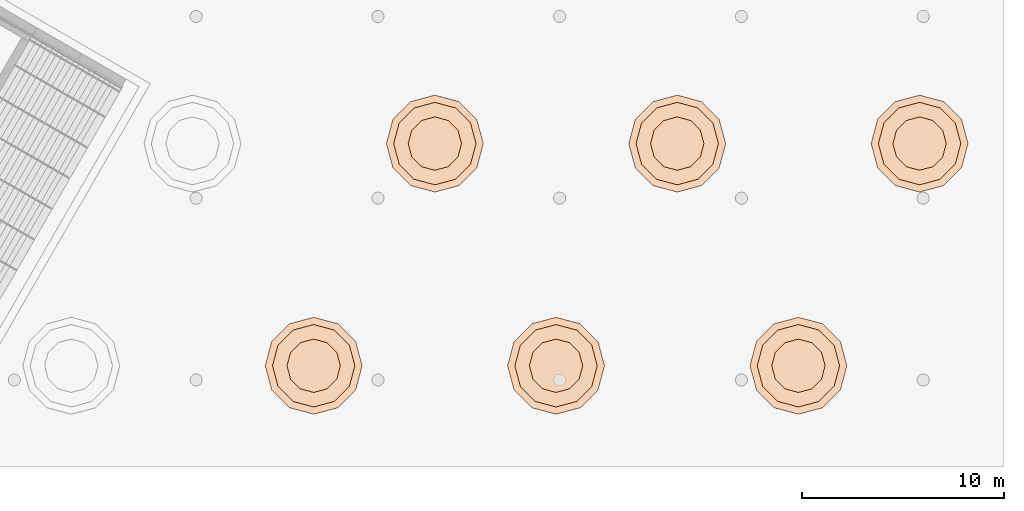
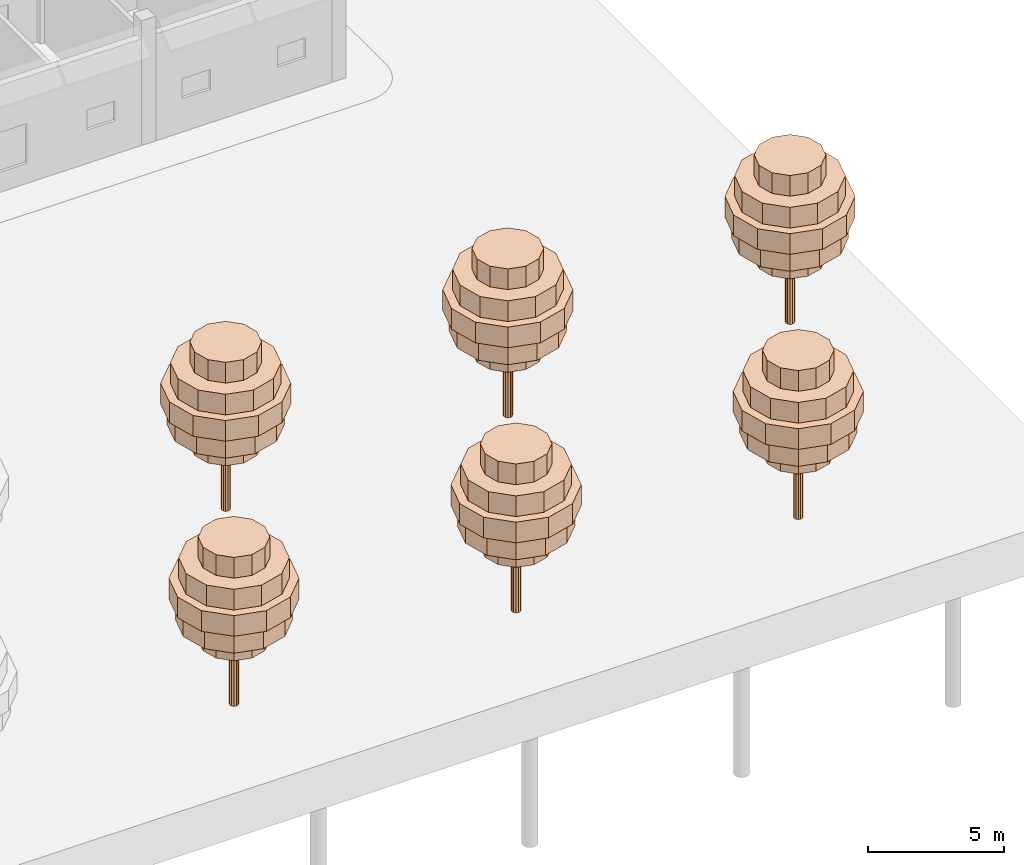
# One storey, part 44 of 44: 6 geographic elements.
"""IFC4 building model written with IfcOpenShell, lengths in metres."""

from ifc_helpers import new_model, si_unit, direction, frame, origin, place, context, subcontext, project, spatial, polyline, outline, extrude, element, save


model = new_model("IFC4")

# Units and contexts
model_context = context("Model", 3, precision=1e-05, world=origin(), true_north=direction((0.0, 1.0)))
body_context = subcontext(model_context, "Body", "Model", "MODEL_VIEW")
ifc_project = project(units=[si_unit("LENGTHUNIT", "METRE"), si_unit("AREAUNIT", "SQUARE_METRE"), si_unit("VOLUMEUNIT", "CUBIC_METRE"), si_unit("PLANEANGLEUNIT", "RADIAN"), si_unit("MASSUNIT", "GRAM", prefix="KILO")], contexts=[model_context])

# Site, building, storey
site_placement = place(None, origin())
site = spatial("IfcSite", under=ifc_project, at=site_placement, CompositionType="ELEMENT")
building_placement = place(site_placement, origin())
building = spatial("IfcBuilding", under=site, at=building_placement, Name="Frailejon Research Tower", CompositionType="ELEMENT")
storey_placement = place(building_placement, origin())
storey = spatial("IfcBuildingStorey", under=building, at=storey_placement, Name="L00", CompositionType="ELEMENT", Elevation=0.0)

# Geographic elements
geographic_element_1_placement = place(storey_placement, frame((77.821044921875, -53.2958984375, 0.0)))
element("IfcGeographicElement", 1, at=geographic_element_1_placement, inside=storey, Name="Plaza tree", ObjectType="TREE", PredefinedType="USERDEFINED", context=body_context, shape_type="SweptSolid", body=[
    extrude(outline(polyline([(0.179931640625, 0.0), (0.156005859375, 0.090087890625), (0.090087890625, 0.156005859375), (0.0, 0.179931640625), (-0.090087890625, 0.156005859375), (-0.156005859375, 0.090087890625), (-0.179931640625, 0.0), (-0.156005859375, -0.090087890625), (-0.090087890625, -0.156005859375), (0.0, -0.179931640625), (0.090087890625, -0.156005859375), (0.156005859375, -0.090087890625), (0.179931640625, 0.0)])), origin(), (0.0, 0.0, 1.0), 5.639892578125),
    extrude(outline(polyline([(1.320068359375, 0.0), (1.14306640625, 0.659912109375), (0.659912109375, 1.14306640625), (0.0, 1.320068359375), (-0.659912109375, 1.14306640625), (-1.14306640625, 0.659912109375), (-1.320068359375, 0.0), (-1.14306640625, -0.659912109375), (-0.659912109375, -1.14306640625), (0.0, -1.320068359375), (0.659912109375, -1.14306640625), (1.14306640625, -0.659912109375), (1.320068359375, 0.0)])), frame((0.0, 0.0, 2.85009765625)), (0.0, 0.0, 1.0), 0.929931640625),
    extrude(outline(polyline([(2.159912109375, 0.0), (1.87060546875, 1.080078125), (1.080078125, 1.87060546875), (0.0, 2.159912109375), (-1.080078125, 1.87060546875), (-1.87060546875, 1.080078125), (-2.159912109375, 0.0), (-1.87060546875, -1.080078125), (-1.080078125, -1.87060546875), (0.0, -2.159912109375), (1.080078125, -1.87060546875), (1.87060546875, -1.080078125), (2.159912109375, 0.0)])), frame((0.0, 0.0, 3.780029296875)), (0.0, 0.0, 1.0), 0.929931640625),
    extrude(outline(polyline([(2.39990234375, 0.0), (2.078369140625, 1.199951171875), (1.199951171875, 2.078369140625), (0.0, 2.39990234375), (-1.199951171875, 2.078369140625), (-2.078369140625, 1.199951171875), (-2.39990234375, 0.0), (-2.078369140625, -1.199951171875), (-1.199951171875, -2.078369140625), (0.0, -2.39990234375), (1.199951171875, -2.078369140625), (2.078369140625, -1.199951171875), (2.39990234375, 0.0)])), frame((0.0, 0.0, 4.7099609375)), (0.0, 0.0, 1.0), 0.929931640625),
    extrude(outline(polyline([(2.0400390625, 0.0), (1.7666015625, 1.02001953125), (1.02001953125, 1.7666015625), (0.0, 2.0400390625), (-1.02001953125, 1.7666015625), (-1.7666015625, 1.02001953125), (-2.0400390625, 0.0), (-1.7666015625, -1.02001953125), (-1.02001953125, -1.7666015625), (0.0, -2.0400390625), (1.02001953125, -1.7666015625), (1.7666015625, -1.02001953125), (2.0400390625, 0.0)])), frame((0.0, 0.0, 5.639892578125)), (0.0, 0.0, 1.0), 0.929931640625),
    extrude(outline(polyline([(1.320068359375, 0.0), (1.14306640625, 0.659912109375), (0.659912109375, 1.14306640625), (0.0, 1.320068359375), (-0.659912109375, 1.14306640625), (-1.14306640625, 0.659912109375), (-1.320068359375, 0.0), (-1.14306640625, -0.659912109375), (-0.659912109375, -1.14306640625), (0.0, -1.320068359375), (0.659912109375, -1.14306640625), (1.14306640625, -0.659912109375), (1.320068359375, 0.0)])), frame((0.0, 0.0, 6.570068359375)), (0.0, 0.0, 1.0), 0.929931640625),
])
geographic_element_2_placement = place(storey_placement, frame((89.821044921875, -53.2958984375, 0.0)))
element("IfcGeographicElement", 2, at=geographic_element_2_placement, inside=storey, Name="Plaza tree", ObjectType="TREE", PredefinedType="USERDEFINED", context=body_context, shape_type="SweptSolid", body=[
    extrude(outline(polyline([(0.179931640625, 0.0), (0.156005859375, 0.090087890625), (0.090087890625, 0.156005859375), (0.0, 0.179931640625), (-0.090087890625, 0.156005859375), (-0.156005859375, 0.090087890625), (-0.179931640625, 0.0), (-0.156005859375, -0.090087890625), (-0.090087890625, -0.156005859375), (0.0, -0.179931640625), (0.090087890625, -0.156005859375), (0.156005859375, -0.090087890625), (0.179931640625, 0.0)])), origin(), (0.0, 0.0, 1.0), 5.639892578125),
    extrude(outline(polyline([(1.320068359375, 0.0), (1.14306640625, 0.659912109375), (0.659912109375, 1.14306640625), (0.0, 1.320068359375), (-0.659912109375, 1.14306640625), (-1.14306640625, 0.659912109375), (-1.320068359375, 0.0), (-1.14306640625, -0.659912109375), (-0.659912109375, -1.14306640625), (0.0, -1.320068359375), (0.659912109375, -1.14306640625), (1.14306640625, -0.659912109375), (1.320068359375, 0.0)])), frame((0.0, 0.0, 2.85009765625)), (0.0, 0.0, 1.0), 0.929931640625),
    extrude(outline(polyline([(2.159912109375, 0.0), (1.87060546875, 1.080078125), (1.080078125, 1.87060546875), (0.0, 2.159912109375), (-1.080078125, 1.87060546875), (-1.87060546875, 1.080078125), (-2.159912109375, 0.0), (-1.87060546875, -1.080078125), (-1.080078125, -1.87060546875), (0.0, -2.159912109375), (1.080078125, -1.87060546875), (1.87060546875, -1.080078125), (2.159912109375, 0.0)])), frame((0.0, 0.0, 3.780029296875)), (0.0, 0.0, 1.0), 0.929931640625),
    extrude(outline(polyline([(2.39990234375, 0.0), (2.078369140625, 1.199951171875), (1.199951171875, 2.078369140625), (0.0, 2.39990234375), (-1.199951171875, 2.078369140625), (-2.078369140625, 1.199951171875), (-2.39990234375, 0.0), (-2.078369140625, -1.199951171875), (-1.199951171875, -2.078369140625), (0.0, -2.39990234375), (1.199951171875, -2.078369140625), (2.078369140625, -1.199951171875), (2.39990234375, 0.0)])), frame((0.0, 0.0, 4.7099609375)), (0.0, 0.0, 1.0), 0.929931640625),
    extrude(outline(polyline([(2.0400390625, 0.0), (1.7666015625, 1.02001953125), (1.02001953125, 1.7666015625), (0.0, 2.0400390625), (-1.02001953125, 1.7666015625), (-1.7666015625, 1.02001953125), (-2.0400390625, 0.0), (-1.7666015625, -1.02001953125), (-1.02001953125, -1.7666015625), (0.0, -2.0400390625), (1.02001953125, -1.7666015625), (1.7666015625, -1.02001953125), (2.0400390625, 0.0)])), frame((0.0, 0.0, 5.639892578125)), (0.0, 0.0, 1.0), 0.929931640625),
    extrude(outline(polyline([(1.320068359375, 0.0), (1.14306640625, 0.659912109375), (0.659912109375, 1.14306640625), (0.0, 1.320068359375), (-0.659912109375, 1.14306640625), (-1.14306640625, 0.659912109375), (-1.320068359375, 0.0), (-1.14306640625, -0.659912109375), (-0.659912109375, -1.14306640625), (0.0, -1.320068359375), (0.659912109375, -1.14306640625), (1.14306640625, -0.659912109375), (1.320068359375, 0.0)])), frame((0.0, 0.0, 6.570068359375)), (0.0, 0.0, 1.0), 0.929931640625),
])
geographic_element_3_placement = place(storey_placement, frame((101.821044921875, -53.2958984375, 0.0)))
element("IfcGeographicElement", 3, at=geographic_element_3_placement, inside=storey, Name="Plaza tree", ObjectType="TREE", PredefinedType="USERDEFINED", context=body_context, shape_type="SweptSolid", body=[
    extrude(outline(polyline([(0.179931640625, 0.0), (0.156005859375, 0.090087890625), (0.090087890625, 0.156005859375), (0.0, 0.179931640625), (-0.090087890625, 0.156005859375), (-0.156005859375, 0.090087890625), (-0.179931640625, 0.0), (-0.156005859375, -0.090087890625), (-0.090087890625, -0.156005859375), (0.0, -0.179931640625), (0.090087890625, -0.156005859375), (0.156005859375, -0.090087890625), (0.179931640625, 0.0)])), origin(), (0.0, 0.0, 1.0), 5.639892578125),
    extrude(outline(polyline([(1.320068359375, 0.0), (1.14306640625, 0.659912109375), (0.659912109375, 1.14306640625), (0.0, 1.320068359375), (-0.659912109375, 1.14306640625), (-1.14306640625, 0.659912109375), (-1.320068359375, 0.0), (-1.14306640625, -0.659912109375), (-0.659912109375, -1.14306640625), (0.0, -1.320068359375), (0.659912109375, -1.14306640625), (1.14306640625, -0.659912109375), (1.320068359375, 0.0)])), frame((0.0, 0.0, 2.85009765625)), (0.0, 0.0, 1.0), 0.929931640625),
    extrude(outline(polyline([(2.159912109375, 0.0), (1.87060546875, 1.080078125), (1.080078125, 1.87060546875), (0.0, 2.159912109375), (-1.080078125, 1.87060546875), (-1.87060546875, 1.080078125), (-2.159912109375, 0.0), (-1.87060546875, -1.080078125), (-1.080078125, -1.87060546875), (0.0, -2.159912109375), (1.080078125, -1.87060546875), (1.87060546875, -1.080078125), (2.159912109375, 0.0)])), frame((0.0, 0.0, 3.780029296875)), (0.0, 0.0, 1.0), 0.929931640625),
    extrude(outline(polyline([(2.39990234375, 0.0), (2.078369140625, 1.199951171875), (1.199951171875, 2.078369140625), (0.0, 2.39990234375), (-1.199951171875, 2.078369140625), (-2.078369140625, 1.199951171875), (-2.39990234375, 0.0), (-2.078369140625, -1.199951171875), (-1.199951171875, -2.078369140625), (0.0, -2.39990234375), (1.199951171875, -2.078369140625), (2.078369140625, -1.199951171875), (2.39990234375, 0.0)])), frame((0.0, 0.0, 4.7099609375)), (0.0, 0.0, 1.0), 0.929931640625),
    extrude(outline(polyline([(2.0400390625, 0.0), (1.7666015625, 1.02001953125), (1.02001953125, 1.7666015625), (0.0, 2.0400390625), (-1.02001953125, 1.7666015625), (-1.7666015625, 1.02001953125), (-2.0400390625, 0.0), (-1.7666015625, -1.02001953125), (-1.02001953125, -1.7666015625), (0.0, -2.0400390625), (1.02001953125, -1.7666015625), (1.7666015625, -1.02001953125), (2.0400390625, 0.0)])), frame((0.0, 0.0, 5.639892578125)), (0.0, 0.0, 1.0), 0.929931640625),
    extrude(outline(polyline([(1.320068359375, 0.0), (1.14306640625, 0.659912109375), (0.659912109375, 1.14306640625), (0.0, 1.320068359375), (-0.659912109375, 1.14306640625), (-1.14306640625, 0.659912109375), (-1.320068359375, 0.0), (-1.14306640625, -0.659912109375), (-0.659912109375, -1.14306640625), (0.0, -1.320068359375), (0.659912109375, -1.14306640625), (1.14306640625, -0.659912109375), (1.320068359375, 0.0)])), frame((0.0, 0.0, 6.570068359375)), (0.0, 0.0, 1.0), 0.929931640625),
])
geographic_element_4_placement = place(storey_placement, frame((83.821044921875, -42.2958984375, 0.0)))
element("IfcGeographicElement", 4, at=geographic_element_4_placement, inside=storey, Name="Plaza tree", ObjectType="TREE", PredefinedType="USERDEFINED", context=body_context, shape_type="SweptSolid", body=[
    extrude(outline(polyline([(0.179931640625, 0.0), (0.156005859375, 0.090087890625), (0.090087890625, 0.156005859375), (0.0, 0.179931640625), (-0.090087890625, 0.156005859375), (-0.156005859375, 0.090087890625), (-0.179931640625, 0.0), (-0.156005859375, -0.090087890625), (-0.090087890625, -0.156005859375), (0.0, -0.179931640625), (0.090087890625, -0.156005859375), (0.156005859375, -0.090087890625), (0.179931640625, 0.0)])), origin(), (0.0, 0.0, 1.0), 5.639892578125),
    extrude(outline(polyline([(1.320068359375, 0.0), (1.14306640625, 0.659912109375), (0.659912109375, 1.14306640625), (0.0, 1.320068359375), (-0.659912109375, 1.14306640625), (-1.14306640625, 0.659912109375), (-1.320068359375, 0.0), (-1.14306640625, -0.659912109375), (-0.659912109375, -1.14306640625), (0.0, -1.320068359375), (0.659912109375, -1.14306640625), (1.14306640625, -0.659912109375), (1.320068359375, 0.0)])), frame((0.0, 0.0, 2.85009765625)), (0.0, 0.0, 1.0), 0.929931640625),
    extrude(outline(polyline([(2.159912109375, 0.0), (1.87060546875, 1.080078125), (1.080078125, 1.87060546875), (0.0, 2.159912109375), (-1.080078125, 1.87060546875), (-1.87060546875, 1.080078125), (-2.159912109375, 0.0), (-1.87060546875, -1.080078125), (-1.080078125, -1.87060546875), (0.0, -2.159912109375), (1.080078125, -1.87060546875), (1.87060546875, -1.080078125), (2.159912109375, 0.0)])), frame((0.0, 0.0, 3.780029296875)), (0.0, 0.0, 1.0), 0.929931640625),
    extrude(outline(polyline([(2.39990234375, 0.0), (2.078369140625, 1.199951171875), (1.199951171875, 2.078369140625), (0.0, 2.39990234375), (-1.199951171875, 2.078369140625), (-2.078369140625, 1.199951171875), (-2.39990234375, 0.0), (-2.078369140625, -1.199951171875), (-1.199951171875, -2.078369140625), (0.0, -2.39990234375), (1.199951171875, -2.078369140625), (2.078369140625, -1.199951171875), (2.39990234375, 0.0)])), frame((0.0, 0.0, 4.7099609375)), (0.0, 0.0, 1.0), 0.929931640625),
    extrude(outline(polyline([(2.0400390625, 0.0), (1.7666015625, 1.02001953125), (1.02001953125, 1.7666015625), (0.0, 2.0400390625), (-1.02001953125, 1.7666015625), (-1.7666015625, 1.02001953125), (-2.0400390625, 0.0), (-1.7666015625, -1.02001953125), (-1.02001953125, -1.7666015625), (0.0, -2.0400390625), (1.02001953125, -1.7666015625), (1.7666015625, -1.02001953125), (2.0400390625, 0.0)])), frame((0.0, 0.0, 5.639892578125)), (0.0, 0.0, 1.0), 0.929931640625),
    extrude(outline(polyline([(1.320068359375, 0.0), (1.14306640625, 0.659912109375), (0.659912109375, 1.14306640625), (0.0, 1.320068359375), (-0.659912109375, 1.14306640625), (-1.14306640625, 0.659912109375), (-1.320068359375, 0.0), (-1.14306640625, -0.659912109375), (-0.659912109375, -1.14306640625), (0.0, -1.320068359375), (0.659912109375, -1.14306640625), (1.14306640625, -0.659912109375), (1.320068359375, 0.0)])), frame((0.0, 0.0, 6.570068359375)), (0.0, 0.0, 1.0), 0.929931640625),
])
geographic_element_5_placement = place(storey_placement, frame((95.821044921875, -42.2958984375, 0.0)))
element("IfcGeographicElement", 5, at=geographic_element_5_placement, inside=storey, Name="Plaza tree", ObjectType="TREE", PredefinedType="USERDEFINED", context=body_context, shape_type="SweptSolid", body=[
    extrude(outline(polyline([(0.179931640625, 0.0), (0.156005859375, 0.090087890625), (0.090087890625, 0.156005859375), (0.0, 0.179931640625), (-0.090087890625, 0.156005859375), (-0.156005859375, 0.090087890625), (-0.179931640625, 0.0), (-0.156005859375, -0.090087890625), (-0.090087890625, -0.156005859375), (0.0, -0.179931640625), (0.090087890625, -0.156005859375), (0.156005859375, -0.090087890625), (0.179931640625, 0.0)])), origin(), (0.0, 0.0, 1.0), 5.639892578125),
    extrude(outline(polyline([(1.320068359375, 0.0), (1.14306640625, 0.659912109375), (0.659912109375, 1.14306640625), (0.0, 1.320068359375), (-0.659912109375, 1.14306640625), (-1.14306640625, 0.659912109375), (-1.320068359375, 0.0), (-1.14306640625, -0.659912109375), (-0.659912109375, -1.14306640625), (0.0, -1.320068359375), (0.659912109375, -1.14306640625), (1.14306640625, -0.659912109375), (1.320068359375, 0.0)])), frame((0.0, 0.0, 2.85009765625)), (0.0, 0.0, 1.0), 0.929931640625),
    extrude(outline(polyline([(2.159912109375, 0.0), (1.87060546875, 1.080078125), (1.080078125, 1.87060546875), (0.0, 2.159912109375), (-1.080078125, 1.87060546875), (-1.87060546875, 1.080078125), (-2.159912109375, 0.0), (-1.87060546875, -1.080078125), (-1.080078125, -1.87060546875), (0.0, -2.159912109375), (1.080078125, -1.87060546875), (1.87060546875, -1.080078125), (2.159912109375, 0.0)])), frame((0.0, 0.0, 3.780029296875)), (0.0, 0.0, 1.0), 0.929931640625),
    extrude(outline(polyline([(2.39990234375, 0.0), (2.078369140625, 1.199951171875), (1.199951171875, 2.078369140625), (0.0, 2.39990234375), (-1.199951171875, 2.078369140625), (-2.078369140625, 1.199951171875), (-2.39990234375, 0.0), (-2.078369140625, -1.199951171875), (-1.199951171875, -2.078369140625), (0.0, -2.39990234375), (1.199951171875, -2.078369140625), (2.078369140625, -1.199951171875), (2.39990234375, 0.0)])), frame((0.0, 0.0, 4.7099609375)), (0.0, 0.0, 1.0), 0.929931640625),
    extrude(outline(polyline([(2.0400390625, 0.0), (1.7666015625, 1.02001953125), (1.02001953125, 1.7666015625), (0.0, 2.0400390625), (-1.02001953125, 1.7666015625), (-1.7666015625, 1.02001953125), (-2.0400390625, 0.0), (-1.7666015625, -1.02001953125), (-1.02001953125, -1.7666015625), (0.0, -2.0400390625), (1.02001953125, -1.7666015625), (1.7666015625, -1.02001953125), (2.0400390625, 0.0)])), frame((0.0, 0.0, 5.639892578125)), (0.0, 0.0, 1.0), 0.929931640625),
    extrude(outline(polyline([(1.320068359375, 0.0), (1.14306640625, 0.659912109375), (0.659912109375, 1.14306640625), (0.0, 1.320068359375), (-0.659912109375, 1.14306640625), (-1.14306640625, 0.659912109375), (-1.320068359375, 0.0), (-1.14306640625, -0.659912109375), (-0.659912109375, -1.14306640625), (0.0, -1.320068359375), (0.659912109375, -1.14306640625), (1.14306640625, -0.659912109375), (1.320068359375, 0.0)])), frame((0.0, 0.0, 6.570068359375)), (0.0, 0.0, 1.0), 0.929931640625),
])
geographic_element_6_placement = place(storey_placement, frame((107.821044921875, -42.2958984375, 0.0)))
element("IfcGeographicElement", 6, at=geographic_element_6_placement, inside=storey, Name="Plaza tree", ObjectType="TREE", PredefinedType="USERDEFINED", context=body_context, shape_type="SweptSolid", body=[
    extrude(outline(polyline([(0.179931640625, 0.0), (0.156005859375, 0.090087890625), (0.090087890625, 0.156005859375), (0.0, 0.179931640625), (-0.090087890625, 0.156005859375), (-0.156005859375, 0.090087890625), (-0.179931640625, 0.0), (-0.156005859375, -0.090087890625), (-0.090087890625, -0.156005859375), (0.0, -0.179931640625), (0.090087890625, -0.156005859375), (0.156005859375, -0.090087890625), (0.179931640625, 0.0)])), origin(), (0.0, 0.0, 1.0), 5.639892578125),
    extrude(outline(polyline([(1.320068359375, 0.0), (1.14306640625, 0.659912109375), (0.659912109375, 1.14306640625), (0.0, 1.320068359375), (-0.659912109375, 1.14306640625), (-1.14306640625, 0.659912109375), (-1.320068359375, 0.0), (-1.14306640625, -0.659912109375), (-0.659912109375, -1.14306640625), (0.0, -1.320068359375), (0.659912109375, -1.14306640625), (1.14306640625, -0.659912109375), (1.320068359375, 0.0)])), frame((0.0, 0.0, 2.85009765625)), (0.0, 0.0, 1.0), 0.929931640625),
    extrude(outline(polyline([(2.159912109375, 0.0), (1.87060546875, 1.080078125), (1.080078125, 1.87060546875), (0.0, 2.159912109375), (-1.080078125, 1.87060546875), (-1.87060546875, 1.080078125), (-2.159912109375, 0.0), (-1.87060546875, -1.080078125), (-1.080078125, -1.87060546875), (0.0, -2.159912109375), (1.080078125, -1.87060546875), (1.87060546875, -1.080078125), (2.159912109375, 0.0)])), frame((0.0, 0.0, 3.780029296875)), (0.0, 0.0, 1.0), 0.929931640625),
    extrude(outline(polyline([(2.39990234375, 0.0), (2.078369140625, 1.199951171875), (1.199951171875, 2.078369140625), (0.0, 2.39990234375), (-1.199951171875, 2.078369140625), (-2.078369140625, 1.199951171875), (-2.39990234375, 0.0), (-2.078369140625, -1.199951171875), (-1.199951171875, -2.078369140625), (0.0, -2.39990234375), (1.199951171875, -2.078369140625), (2.078369140625, -1.199951171875), (2.39990234375, 0.0)])), frame((0.0, 0.0, 4.7099609375)), (0.0, 0.0, 1.0), 0.929931640625),
    extrude(outline(polyline([(2.0400390625, 0.0), (1.7666015625, 1.02001953125), (1.02001953125, 1.7666015625), (0.0, 2.0400390625), (-1.02001953125, 1.7666015625), (-1.7666015625, 1.02001953125), (-2.0400390625, 0.0), (-1.7666015625, -1.02001953125), (-1.02001953125, -1.7666015625), (0.0, -2.0400390625), (1.02001953125, -1.7666015625), (1.7666015625, -1.02001953125), (2.0400390625, 0.0)])), frame((0.0, 0.0, 5.639892578125)), (0.0, 0.0, 1.0), 0.929931640625),
    extrude(outline(polyline([(1.320068359375, 0.0), (1.14306640625, 0.659912109375), (0.659912109375, 1.14306640625), (0.0, 1.320068359375), (-0.659912109375, 1.14306640625), (-1.14306640625, 0.659912109375), (-1.320068359375, 0.0), (-1.14306640625, -0.659912109375), (-0.659912109375, -1.14306640625), (0.0, -1.320068359375), (0.659912109375, -1.14306640625), (1.14306640625, -0.659912109375), (1.320068359375, 0.0)])), frame((0.0, 0.0, 6.570068359375)), (0.0, 0.0, 1.0), 0.929931640625),
])

save(model, "model.ifc")
